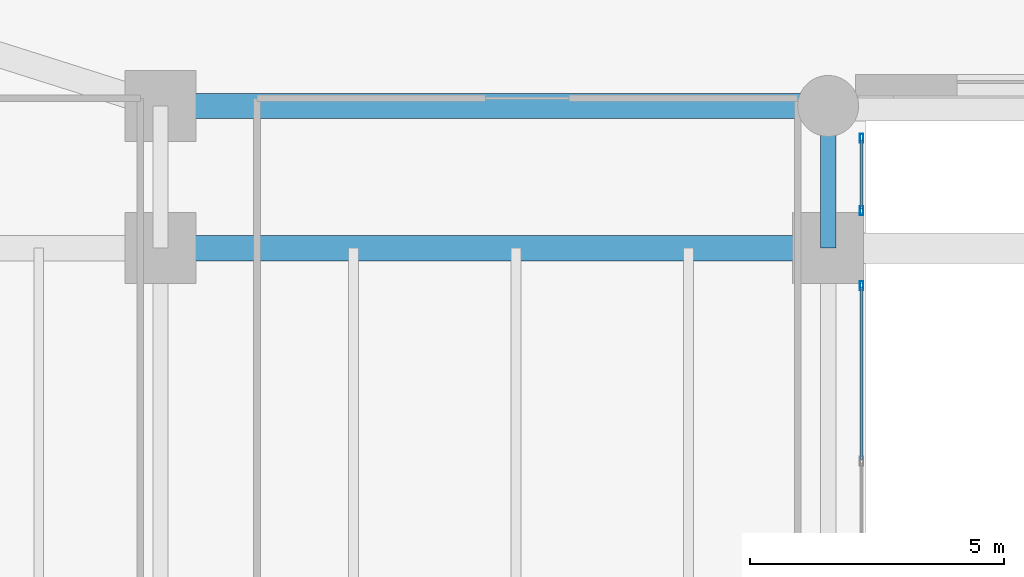
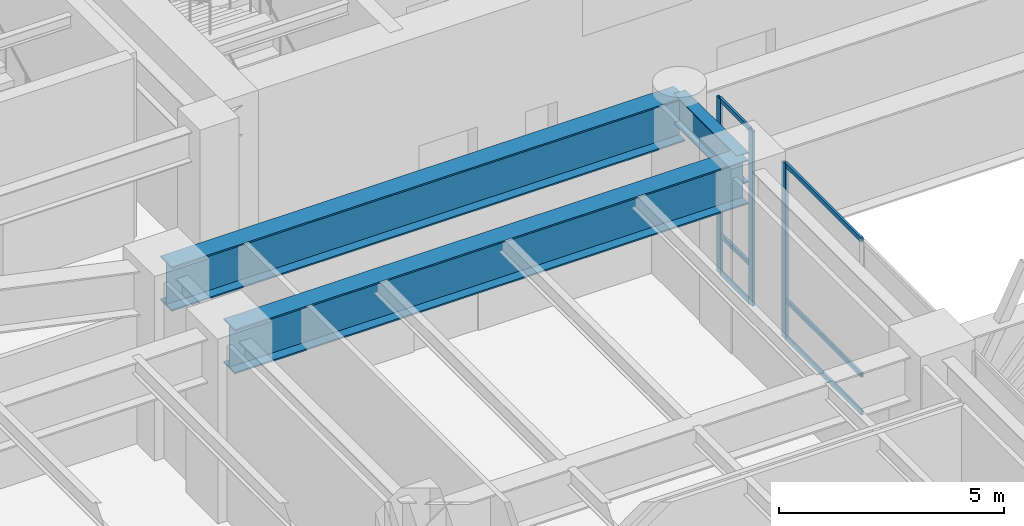
# One storey, part 12 of 39: 9 members, 3 beams, 2 elements without a shape of their own.
"""IFC4 building model written with IfcOpenShell, lengths in metres."""

from ifc_helpers import new_model, si_unit, direction, frame, origin, origin_2d, place, context, subcontext, project, spatial, hollow_rectangle, i_section, extrude, source, transform, mapped, material, layer, layer_set, material_profile, profile_set, type_object, type_shapes, element, aggregate, save


model = new_model("IFC4")

# Units and contexts
model_context = context("Model", 3, precision=1e-05, world=origin(), true_north=direction((0.0, 1.0)))
body_context = subcontext(model_context, "Body", "Model", "MODEL_VIEW")
ifc_project = project(units=[si_unit("LENGTHUNIT", "METRE"), si_unit("AREAUNIT", "SQUARE_METRE"), si_unit("VOLUMEUNIT", "CUBIC_METRE"), si_unit("PLANEANGLEUNIT", "RADIAN"), si_unit("MASSUNIT", "GRAM", prefix="KILO")], contexts=[model_context])

# Site, building, storey
site_placement = place(None, origin())
site = spatial("IfcSite", under=ifc_project, at=site_placement, CompositionType="ELEMENT")
building_placement = place(site_placement, origin())
building = spatial("IfcBuilding", under=site, at=building_placement, Name="Tolvann Quenvar Hotel", CompositionType="ELEMENT")
storey_placement = place(building_placement, frame((0.0, 0.0, 11.0)))
storey = spatial("IfcBuildingStorey", under=building, at=storey_placement, Name="L02", CompositionType="ELEMENT", Elevation=11.0)

# Beams
ifc_material_1 = material(Name="Steel Grade 350", Category="steel")
ifc_material_profile_1 = material_profile(ifc_material_1, i_section(OverallWidth=0.5, OverallDepth=1.199951171875, WebThickness=0.01611328125, FlangeThickness=0.0400390625, at=origin_2d()), Name="1200WB455")
ifc_profile_set_1 = profile_set([ifc_material_profile_1], Name="Steel Grade 350")
beam_type_1 = type_object("IfcBeamType", Name="BM_TG_1200WB455", PredefinedType="USERDEFINED", material=ifc_profile_set_1)
shared_shape_1 = source(origin(), body_context, "Body", "SweptSolid", [
    extrude(i_section(OverallWidth=0.5, OverallDepth=1.199951171875, WebThickness=0.01611328125, FlangeThickness=0.0400390625, at=origin_2d()), origin(), (0.0, 0.0, 1.0), 13.14990234375),
])
type_shapes(beam_type_1, [shared_shape_1])
for number, where, z_axis, x_axis, name in (
    (1, (5.60009765625, 24.39990234375, 4.139892578125), (1.0, 0.0, 0.0), (0.0, 1.0, 0.0), "BM-L02-GW2-4"),
    (2, (5.60009765625, 27.199951171875, 4.139892578125), (1.0, 0.0, 0.0), (0.0, 1.0, 0.0), "BM-L02-GW2-5"),
):
    element("IfcBeam", number, at=place(storey_placement, frame(where, z_axis=z_axis, x_axis=x_axis)), inside=storey, type_object=beam_type_1, Name=name, ObjectType="TRANSFER GIRDER", PredefinedType="USERDEFINED", context=body_context, shape_type="MappedRepresentation", body=[
        mapped(shared_shape_1, transform((0.0, 0.0, 0.0), x_axis=(1.0, 0.0, 0.0), y_axis=(0.0, 1.0, 0.0), z_axis=(0.0, 0.0, 1.0), scale=1.0)),
    ])
ifc_material_profile_2 = material_profile(ifc_material_1, i_section(OverallWidth=0.300048828125, OverallDepth=0.81591796875, WebThickness=0.010009765625, FlangeThickness=0.028076171875, at=origin_2d()), Name="800WB192")
ifc_profile_set_2 = profile_set([ifc_material_profile_2], Name="Steel Grade 350")
beam_type_2 = type_object("IfcBeamType", Name="BM_GIRD_800WB192", PredefinedType="BEAM", material=ifc_profile_set_2)
shared_shape_2 = source(origin(), body_context, "Body", "SweptSolid", [
    extrude(i_section(OverallWidth=0.300048828125, OverallDepth=0.81591796875, WebThickness=0.010009765625, FlangeThickness=0.028076171875, at=origin_2d()), origin(), (0.0, 0.0, 1.0), 2.800048828125),
])
type_shapes(beam_type_2, [shared_shape_2])
beam_placement = place(storey_placement, frame((18.75, 24.39990234375, 4.33203125), z_axis=(0.0, 1.0, 0.0), x_axis=(-1.0, 0.0, 0.0)))
element("IfcBeam", 3, at=beam_placement, inside=storey, type_object=beam_type_2, Name="BM-L02-NS-APW-3", PredefinedType="BEAM", context=body_context, shape_type="MappedRepresentation", body=[
    mapped(shared_shape_2, transform((0.0, 0.0, 0.0), x_axis=(1.0, 0.0, 0.0), y_axis=(0.0, 1.0, 0.0), z_axis=(0.0, 0.0, 1.0), scale=1.0)),
])

# Curtain wall, members
ifc_material_2 = material(Name="Thermally broken anodised architectural aluminium 6063-T6 and laminated low-E glass", Category="aluminium")
ifc_layer = layer(ifc_material_2, 0.179931640625)
ifc_layer_set = layer_set([ifc_layer], Name="Thermally broken anodised architectural aluminium 6063-T6 and laminated low-E glass")
curtain_wall_type = type_object("IfcCurtainWallType", Name="CW_SYS_ARCH_01", PredefinedType="USERDEFINED", material=ifc_layer_set)
curtain_wall_1_placement = place(storey_placement, origin())
curtain_wall_1 = element("IfcCurtainWall", 4, at=curtain_wall_1_placement, inside=storey, type_object=curtain_wall_type, Name="Curtain Wall CW-ARCH-01 (CWR-L02-E01-S4)", ObjectType="UNITISED CURTAIN WALL", PredefinedType="USERDEFINED")
ifc_material_3 = material(Name="Anodised architectural aluminium 6063-T6 framing", Category="aluminium")
ifc_material_profile_3 = material_profile(ifc_material_3, hollow_rectangle(XDim=0.06005859375, YDim=0.1201171875, WallThickness=0.00341796875, at=origin_2d()), Name="120x60x3.5RHS")
ifc_profile_set_3 = profile_set([ifc_material_profile_3], Name="Anodised architectural aluminium 6063-T6 framing")
member_type_1 = type_object("IfcMemberType", Name="CW_TRAN_120x60", PredefinedType="USERDEFINED", material=ifc_profile_set_3)
shared_shape_3 = source(origin(), body_context, "Body", "SweptSolid", [
    extrude(hollow_rectangle(XDim=0.06005859375, YDim=0.1201171875, WallThickness=0.00341796875, at=origin_2d()), origin(), (0.0, 0.0, 1.0), 3.390869140625),
])
member_1_placement = place(storey_placement, frame((19.409912109375, 20.235107421875, 0.030029296875), z_axis=(0.0, 1.0, 0.0), x_axis=(-1.0, 0.0, 0.0)))
member_1 = element("IfcMember", 5, at=member_1_placement, type_object=member_type_1, Name="CW-ARCH-01 transom 2.1", ObjectType="TRANSOM", PredefinedType="USERDEFINED", context=body_context, shape_type="MappedRepresentation", body=[
    mapped(shared_shape_3, transform((0.0, 0.0, 0.0), x_axis=(1.0, 0.0, 0.0), y_axis=(0.0, 1.0, 0.0), z_axis=(0.0, 0.0, 1.0), scale=1.0)),
])
member_2_placement = place(storey_placement, frame((19.409912109375, 20.235107421875, 1.050048828125), z_axis=(0.0, 1.0, 0.0), x_axis=(-1.0, 0.0, 0.0)))
member_2 = element("IfcMember", 6, at=member_2_placement, type_object=member_type_1, Name="CW-ARCH-01 transom 2.2", ObjectType="TRANSOM", PredefinedType="USERDEFINED", context=body_context, shape_type="MappedRepresentation", body=[
    mapped(shared_shape_3, transform((0.0, 0.0, 0.0), x_axis=(1.0, 0.0, 0.0), y_axis=(0.0, 1.0, 0.0), z_axis=(0.0, 0.0, 1.0), scale=1.0)),
])
member_3_placement = place(storey_placement, frame((19.409912109375, 20.235107421875, 4.7099609375), z_axis=(0.0, 1.0, 0.0), x_axis=(-1.0, 0.0, 0.0)))
member_3 = element("IfcMember", 7, at=member_3_placement, type_object=member_type_1, Name="CW-ARCH-01 transom 2.3", ObjectType="TRANSOM", PredefinedType="USERDEFINED", context=body_context, shape_type="MappedRepresentation", body=[
    mapped(shared_shape_3, transform((0.0, 0.0, 0.0), x_axis=(1.0, 0.0, 0.0), y_axis=(0.0, 1.0, 0.0), z_axis=(0.0, 0.0, 1.0), scale=1.0)),
])

curtain_wall_2_placement = place(storey_placement, origin())
curtain_wall_2 = element("IfcCurtainWall", 8, at=curtain_wall_2_placement, inside=storey, type_object=curtain_wall_type, Name="Curtain Wall CW-ARCH-01 (CWR-L02-E01-S5)", ObjectType="UNITISED CURTAIN WALL", PredefinedType="USERDEFINED")
shared_shape_4 = source(origin(), body_context, "Body", "SweptSolid", [
    extrude(hollow_rectangle(XDim=0.06005859375, YDim=0.1201171875, WallThickness=0.00341796875, at=origin_2d()), origin(), (0.0, 0.0, 1.0), 1.351806640625),
])
type_shapes(member_type_1, [shared_shape_3, shared_shape_4])
member_4_placement = place(storey_placement, frame((19.409912109375, 25.174072265625, 0.030029296875), z_axis=(0.0, 1.0, 0.0), x_axis=(-1.0, 0.0, 0.0)))
member_4 = element("IfcMember", 9, at=member_4_placement, type_object=member_type_1, Name="CW-ARCH-01 transom 1.1", ObjectType="TRANSOM", PredefinedType="USERDEFINED", context=body_context, shape_type="MappedRepresentation", body=[
    mapped(shared_shape_4, transform((0.0, 0.0, 0.0), x_axis=(1.0, 0.0, 0.0), y_axis=(0.0, 1.0, 0.0), z_axis=(0.0, 0.0, 1.0), scale=1.0)),
])
member_5_placement = place(storey_placement, frame((19.409912109375, 25.174072265625, 1.050048828125), z_axis=(0.0, 1.0, 0.0), x_axis=(-1.0, 0.0, 0.0)))
member_5 = element("IfcMember", 10, at=member_5_placement, type_object=member_type_1, Name="CW-ARCH-01 transom 1.2", ObjectType="TRANSOM", PredefinedType="USERDEFINED", context=body_context, shape_type="MappedRepresentation", body=[
    mapped(shared_shape_4, transform((0.0, 0.0, 0.0), x_axis=(1.0, 0.0, 0.0), y_axis=(0.0, 1.0, 0.0), z_axis=(0.0, 0.0, 1.0), scale=1.0)),
])
member_6_placement = place(storey_placement, frame((19.409912109375, 25.174072265625, 4.7099609375), z_axis=(0.0, 1.0, 0.0), x_axis=(-1.0, 0.0, 0.0)))
member_6 = element("IfcMember", 11, at=member_6_placement, type_object=member_type_1, Name="CW-ARCH-01 transom 1.3", ObjectType="TRANSOM", PredefinedType="USERDEFINED", context=body_context, shape_type="MappedRepresentation", body=[
    mapped(shared_shape_4, transform((0.0, 0.0, 0.0), x_axis=(1.0, 0.0, 0.0), y_axis=(0.0, 1.0, 0.0), z_axis=(0.0, 0.0, 1.0), scale=1.0)),
])

# Member
ifc_material_profile_4 = material_profile(ifc_material_3, hollow_rectangle(XDim=0.070068359375, YDim=0.179931640625, WallThickness=0.00390625, at=origin_2d()), Name="180x70x4RHS")
ifc_profile_set_4 = profile_set([ifc_material_profile_4], Name="Anodised architectural aluminium 6063-T6 framing")
member_type_2 = type_object("IfcMemberType", Name="CW_MULL_180x70", PredefinedType="MULLION", material=ifc_profile_set_4)
shared_shape_5 = source(origin(), body_context, "Body", "SweptSolid", [
    extrude(hollow_rectangle(XDim=0.070068359375, YDim=0.179931640625, WallThickness=0.00390625, at=origin_2d()), origin(), (0.0, 0.0, 1.0), 4.739990234375),
])
type_shapes(member_type_2, [shared_shape_5])
member_7_placement = place(storey_placement, frame((19.409912109375, 23.660888671875, 0.0), z_axis=(0.0, 0.0, 1.0), x_axis=(-1.0, 0.0, 0.0)))
member_7 = element("IfcMember", 12, at=member_7_placement, type_object=member_type_2, Name="CW-ARCH-01 mullion 3", PredefinedType="MULLION", context=body_context, shape_type="MappedRepresentation", body=[
    mapped(shared_shape_5, transform((0.0, 0.0, 0.0), x_axis=(1.0, 0.0, 0.0), y_axis=(0.0, 1.0, 0.0), z_axis=(0.0, 0.0, 1.0), scale=1.0)),
])

aggregate(curtain_wall_1, [member_7, member_1, member_2, member_3])

member_8_placement = place(storey_placement, frame((19.409912109375, 25.138916015625, 0.0), z_axis=(0.0, 0.0, 1.0), x_axis=(-1.0, 0.0, 0.0)))
member_8 = element("IfcMember", 13, at=member_8_placement, type_object=member_type_2, Name="CW-ARCH-01 mullion 1", PredefinedType="MULLION", context=body_context, shape_type="MappedRepresentation", body=[
    mapped(shared_shape_5, transform((0.0, 0.0, 0.0), x_axis=(1.0, 0.0, 0.0), y_axis=(0.0, 1.0, 0.0), z_axis=(0.0, 0.0, 1.0), scale=1.0)),
])

member_9_placement = place(storey_placement, frame((19.409912109375, 26.56103515625, 0.0), z_axis=(0.0, 0.0, 1.0), x_axis=(-1.0, 0.0, 0.0)))
member_9 = element("IfcMember", 14, at=member_9_placement, type_object=member_type_2, Name="CW-ARCH-01 mullion 2", PredefinedType="MULLION", context=body_context, shape_type="MappedRepresentation", body=[
    mapped(shared_shape_5, transform((0.0, 0.0, 0.0), x_axis=(1.0, 0.0, 0.0), y_axis=(0.0, 1.0, 0.0), z_axis=(0.0, 0.0, 1.0), scale=1.0)),
])

aggregate(curtain_wall_2, [member_8, member_9, member_4, member_5, member_6])

save(model, "model.ifc")
